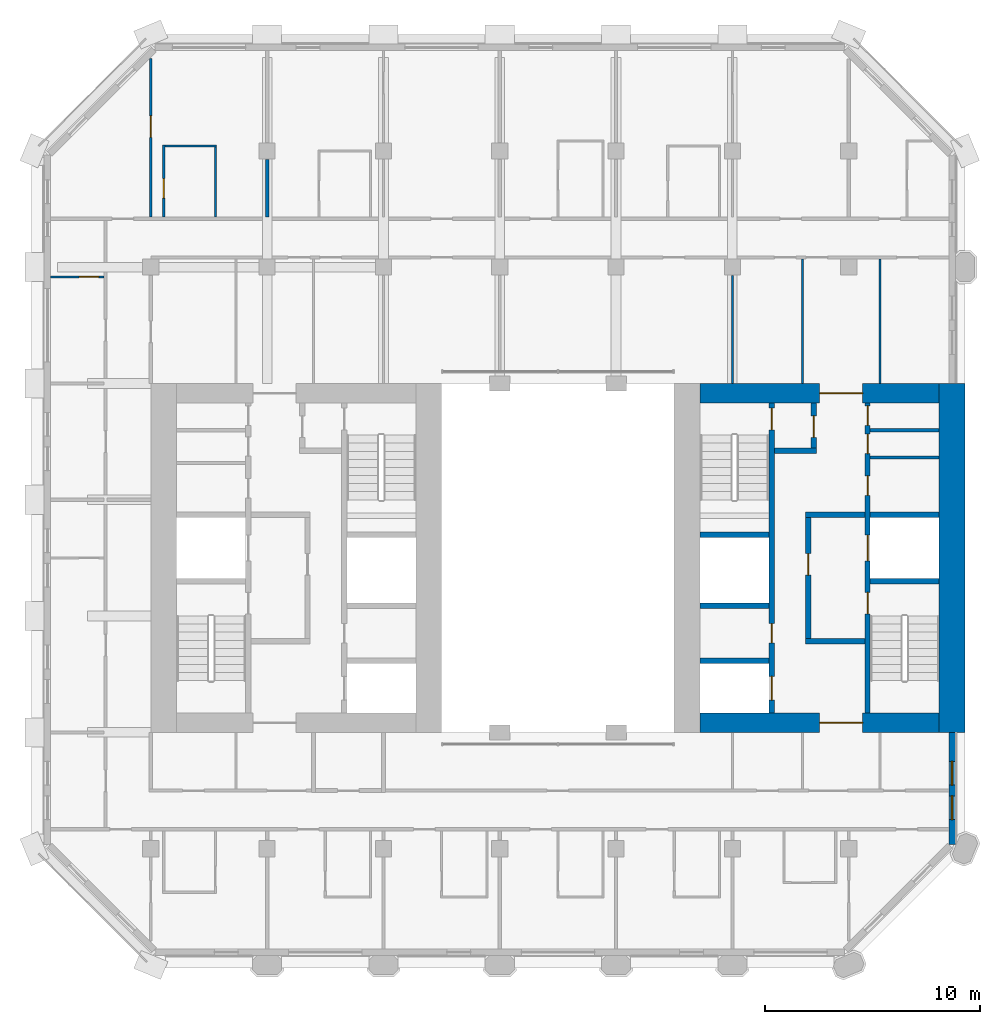
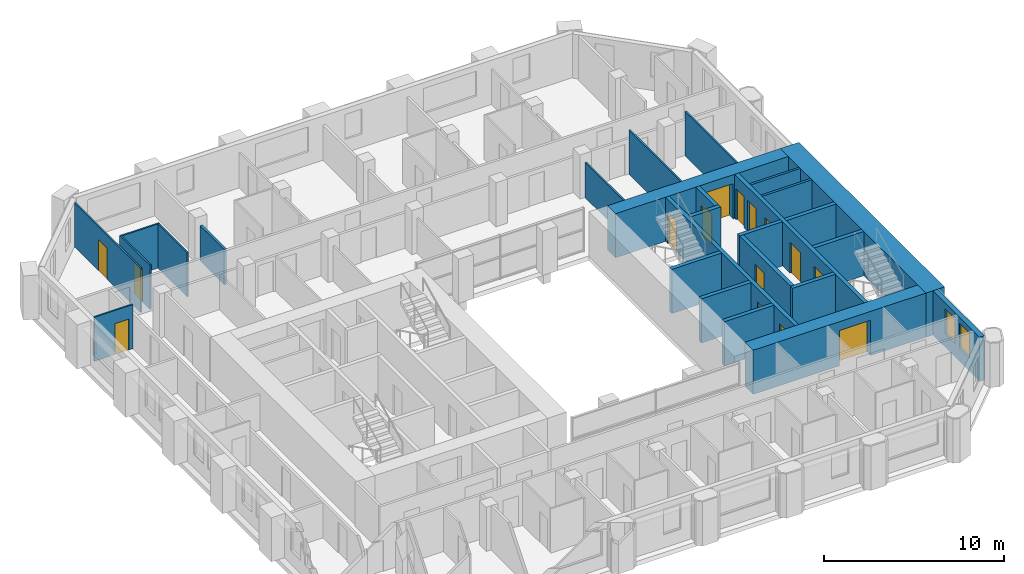
# One storey, part 9 of 13: 27 walls, 15 doors, 2 windows, 17 openings.
"""IFC4 building model written with IfcOpenShell, lengths in metres."""

from ifc_helpers import new_model, si_unit, direction, frame, frame_2d, origin, place, context, subcontext, project, spatial, rectangle, extrude, material, layer, layer_set, type_object, element, fill, save


model = new_model("IFC4")

# Units and contexts
model_context = context("Model", 3, precision=1e-05, world=origin(), true_north=direction((0.0, 1.0)))
body_context = subcontext(model_context, "Body", "Model", "MODEL_VIEW")
ifc_project = project(units=[si_unit("LENGTHUNIT", "METRE"), si_unit("AREAUNIT", "SQUARE_METRE"), si_unit("VOLUMEUNIT", "CUBIC_METRE"), si_unit("PLANEANGLEUNIT", "RADIAN"), si_unit("MASSUNIT", "GRAM", prefix="KILO")], contexts=[model_context])

# Site, building, storey
site_placement = place(None, origin())
site = spatial("IfcSite", under=ifc_project, at=site_placement, CompositionType="ELEMENT")
building_placement = place(site_placement, origin())
building = spatial("IfcBuilding", under=site, at=building_placement, Name="Tabaq Tower and Sports Hall", CompositionType="ELEMENT")
storey_placement = place(building_placement, frame((0.0, 0.0, 210.39990234375)))
storey = spatial("IfcBuildingStorey", under=building, at=storey_placement, Name="L52", CompositionType="ELEMENT", Elevation=210.39990234375)

# Walls
ifc_material_1 = material(Name="Blockwork", Category="masonry")
ifc_layer_1 = layer(ifc_material_1, 0.14990234375)
ifc_layer_set_1 = layer_set([ifc_layer_1], Name="Core room partition 150 Blockwork")
wall_type_1 = type_object("IfcWallType", Name="Core room partition 150 Blockwork", PredefinedType="PARTITIONING", material=ifc_layer_set_1)
for number, where, z_axis, x_axis, name in (
    (1, (38.800048828125, 28.962890625, 0.0), (0.0, 0.0, 1.0), (1.0, 0.0, 0.0), "Core room partition E L52"),
    (2, (38.800048828125, 30.23193359375, 0.0), (0.0, 0.0, 1.0), (1.0, 0.0, 0.0), "Core room partition E L52"),
):
    element("IfcWall", number, at=place(storey_placement, frame(where, z_axis=z_axis, x_axis=x_axis)), inside=storey, type_object=wall_type_1, Name=name, PredefinedType="PARTITIONING", context=body_context, shape_type="SweptSolid", body=[
        extrude(rectangle(XDim=3.199951171875, YDim=0.14990234375, at=frame_2d((1.60009765625, 0.0))), origin(), (0.0, 0.0, 1.0), 3.0),
    ])
ifc_material_2 = material(Name="Concrete C50/60", Category="concrete")
ifc_layer_2 = layer(ifc_material_2, 1.199951171875)
ifc_layer_set_2 = layer_set([ifc_layer_2], Name="Core wall 1200 Concrete C50/60")
wall_type_2 = type_object("IfcWallType", Name="Core wall 1200 Concrete C50/60", PredefinedType="SOLIDWALL", material=ifc_layer_set_2)
wall_1_placement = place(storey_placement, frame((42.60009765625, 32.39990234375, 0.0), z_axis=(0.0, 0.0, 1.0), x_axis=(0.0, -1.0, 0.0)))
element("IfcWall", 3, at=wall_1_placement, inside=storey, type_object=wall_type_2, Name="Core wall E L52", PredefinedType="SOLIDWALL", context=body_context, shape_type="SweptSolid", body=[
    extrude(rectangle(XDim=16.199951171875, YDim=1.199951171875, at=frame_2d((8.10009765625, 0.0))), origin(), (0.0, 0.0, 1.0), 3.0),
])

# Wall, opening, door
ifc_material_3 = material(Name="Concrete C50/60", Category="concrete")
ifc_layer_3 = layer(ifc_material_3, 0.89990234375)
ifc_layer_set_3 = layer_set([ifc_layer_3], Name="Core wall 900 Concrete C50/60")
wall_type_3 = type_object("IfcWallType", Name="Core wall 900 Concrete C50/60", PredefinedType="SOLIDWALL", material=ifc_layer_set_3)
wall_2_placement = place(storey_placement, frame((42.0, 16.64990234375, 0.0), z_axis=(0.0, 0.0, 1.0), x_axis=(-1.0, 0.0, 0.0)))
wall_2 = element("IfcWall", 4, at=wall_2_placement, inside=storey, type_object=wall_type_3, Name="Core wall E L52", PredefinedType="SOLIDWALL", context=body_context, shape_type="SweptSolid", body=[
    extrude(rectangle(XDim=11.10009765625, YDim=0.89990234375, at=frame_2d((5.550048828125, 0.0))), origin(), (0.0, 0.0, 1.0), 3.0),
])
opening_1_placement = place(wall_2_placement, frame((3.550048828125, 0.0, 0.0)))
opening_1 = element("IfcOpeningElement", 5, at=opening_1_placement, cuts=wall_2, Name="Opening PD-EL52-01", PredefinedType="OPENING", context=body_context, shape_type="SweptSolid", body=[
    extrude(rectangle(XDim=2.0, YDim=2.39990234375, at=frame_2d((1.0, 1.199951171875))), frame((0.0, 0.449951171875, 0.0), z_axis=(0.0, -1.0, 0.0), x_axis=(1.0, 0.0, 0.0)), (0.0, 0.0, 1.0), 0.89990234375),
])
ifc_material_4 = material(Name="Steel fire door", Category="steel")
door_type_1 = type_object("IfcDoorType", Name="Core entrance door 2000", OperationType="DOUBLE_DOOR_SINGLE_SWING", PredefinedType="DOOR", material=ifc_material_4)
door_1_placement = place(opening_1_placement, origin())
door_1 = element("IfcDoor", 6, at=door_1_placement, inside=storey, type_object=door_type_1, Name="Core entrance south E L52", OperationType="DOUBLE_DOOR_SINGLE_SWING", OverallHeight=2.39990234375, OverallWidth=2.0, PredefinedType="DOOR", context=body_context, shape_type="SweptSolid", body=[
    extrude(rectangle(XDim=2.0, YDim=2.39990234375, at=frame_2d((1.0, 1.199951171875))), frame((0.0, 0.02490234375, 0.0), z_axis=(0.0, -1.0, 0.0), x_axis=(1.0, 0.0, 0.0)), (0.0, 0.0, 1.0), 0.050048828125),
])
fill(opening_1, door_1)

wall_3_placement = place(storey_placement, frame((30.89990234375, 31.949951171875, 0.0), z_axis=(0.0, 0.0, 1.0), x_axis=(1.0, 0.0, 0.0)))
wall_3 = element("IfcWall", 7, at=wall_3_placement, inside=storey, type_object=wall_type_3, Name="Core wall E L52", PredefinedType="SOLIDWALL", context=body_context, shape_type="SweptSolid", body=[
    extrude(rectangle(XDim=11.10009765625, YDim=0.89990234375, at=frame_2d((5.550048828125, 0.0))), origin(), (0.0, 0.0, 1.0), 3.0),
])
opening_2_placement = place(wall_3_placement, frame((5.550048828125, 0.0, 0.0)))
opening_2 = element("IfcOpeningElement", 8, at=opening_2_placement, cuts=wall_3, Name="Opening PD-EL52-02", PredefinedType="OPENING", context=body_context, shape_type="SweptSolid", body=[
    extrude(rectangle(XDim=2.0, YDim=2.39990234375, at=frame_2d((1.0, 1.199951171875))), frame((0.0, 0.449951171875, 0.0), z_axis=(0.0, -1.0, 0.0), x_axis=(1.0, 0.0, 0.0)), (0.0, 0.0, 1.0), 0.89990234375),
])
door_2_placement = place(opening_2_placement, origin())
door_2 = element("IfcDoor", 9, at=door_2_placement, inside=storey, type_object=door_type_1, Name="Core entrance north E L52", OperationType="DOUBLE_DOOR_SINGLE_SWING", OverallHeight=2.39990234375, OverallWidth=2.0, PredefinedType="DOOR", context=body_context, shape_type="SweptSolid", body=[
    extrude(rectangle(XDim=2.0, YDim=2.39990234375, at=frame_2d((1.0, 1.199951171875))), frame((0.0, 0.02490234375, 0.0), z_axis=(0.0, -1.0, 0.0), x_axis=(1.0, 0.0, 0.0)), (0.0, 0.0, 1.0), 0.050048828125),
])
fill(opening_2, door_2)

ifc_material_5 = material(Name="Gypsum board on steel studs", Category="steel")
ifc_layer_4 = layer(ifc_material_5, 0.10009765625)
ifc_layer_set_4 = layer_set([ifc_layer_4], Name="Partition 100 Gypsum board")
wall_type_4 = type_object("IfcWallType", Name="Partition 100 Gypsum board", PredefinedType="PARTITIONING", material=ifc_layer_set_4)
wall_4_placement = place(storey_placement, frame((3.22509765625, 37.35009765625, 0.0), z_axis=(0.0, 0.0, 1.0), x_axis=(-1.0, 0.0, 0.0)))
wall_4 = element("IfcWall", 10, at=wall_4_placement, inside=storey, type_object=wall_type_4, Name="Partition wall L52", PredefinedType="PARTITIONING", context=body_context, shape_type="SweptSolid", body=[
    extrude(rectangle(XDim=2.47412109375, YDim=0.10009765625, at=frame_2d((1.237060546875, 0.0))), origin(), (0.0, 0.0, 1.0), 3.0),
])
opening_3_placement = place(wall_4_placement, frame((0.25, 0.0, 0.0)))
opening_3 = element("IfcOpeningElement", 11, at=opening_3_placement, cuts=wall_4, Name="Opening L52-001", PredefinedType="OPENING", context=body_context, shape_type="SweptSolid", body=[
    extrude(rectangle(XDim=0.89990234375, YDim=2.10009765625, at=frame_2d((0.449951171875, 1.050048828125))), frame((0.0, 0.050048828125, 0.0), z_axis=(0.0, -1.0, 0.0), x_axis=(1.0, 0.0, 0.0)), (0.0, 0.0, 1.0), 0.10009765625),
])
ifc_material_6 = material(Name="Timber leaf in steel frame", Category="steel")
door_type_2 = type_object("IfcDoorType", Name="Internal door 900 left hand", OperationType="SINGLE_SWING_LEFT", PredefinedType="DOOR", material=ifc_material_6)
door_3_placement = place(opening_3_placement, origin())
door_3 = element("IfcDoor", 12, at=door_3_placement, inside=storey, type_object=door_type_2, Name="Internal door L52-001", OperationType="SINGLE_SWING_LEFT", OverallHeight=2.10009765625, OverallWidth=0.89990234375, PredefinedType="DOOR", context=body_context, shape_type="SweptSolid", body=[
    extrude(rectangle(XDim=0.89990234375, YDim=2.10009765625, at=frame_2d((0.449951171875, 1.050048828125))), frame((0.0, 0.02490234375, 0.0), z_axis=(0.0, -1.0, 0.0), x_axis=(1.0, 0.0, 0.0)), (0.0, 0.0, 1.0), 0.050048828125),
])
fill(opening_3, door_3)

wall_5_placement = place(storey_placement, frame((5.39990234375, 47.48779296875, 0.0), z_axis=(0.0, 0.0, 1.0), x_axis=(0.0, -1.0, 0.0)))
wall_5 = element("IfcWall", 13, at=wall_5_placement, inside=storey, type_object=wall_type_4, Name="Partition wall L52", PredefinedType="PARTITIONING", context=body_context, shape_type="SweptSolid", body=[
    extrude(rectangle(XDim=7.36279296875, YDim=0.10009765625, at=frame_2d((3.681396484375, 0.0))), origin(), (0.0, 0.0, 1.0), 3.0),
])
opening_4_placement = place(wall_5_placement, frame((2.662841796875, 0.0, 0.0)))
opening_4 = element("IfcOpeningElement", 14, at=opening_4_placement, cuts=wall_5, Name="Opening L52-034", PredefinedType="OPENING", context=body_context, shape_type="SweptSolid", body=[
    extrude(rectangle(XDim=1.0, YDim=2.10009765625, at=frame_2d((0.5, 1.050048828125))), frame((0.0, 0.050048828125, 0.0), z_axis=(0.0, -1.0, 0.0), x_axis=(1.0, 0.0, 0.0)), (0.0, 0.0, 1.0), 0.10009765625),
])
ifc_material_7 = material(Name="Timber leaf in steel frame", Category="steel")
door_type_3 = type_object("IfcDoorType", Name="Internal door 1000 left hand", OperationType="SINGLE_SWING_LEFT", PredefinedType="DOOR", material=ifc_material_7)
door_4_placement = place(opening_4_placement, origin())
door_4 = element("IfcDoor", 15, at=door_4_placement, inside=storey, type_object=door_type_3, Name="Internal door L52-034", OperationType="SINGLE_SWING_LEFT", OverallHeight=2.10009765625, OverallWidth=1.0, PredefinedType="DOOR", context=body_context, shape_type="SweptSolid", body=[
    extrude(rectangle(XDim=1.0, YDim=2.10009765625, at=frame_2d((0.5, 1.050048828125))), frame((0.0, 0.02490234375, 0.0), z_axis=(0.0, -1.0, 0.0), x_axis=(1.0, 0.0, 0.0)), (0.0, 0.0, 1.0), 0.050048828125),
])
fill(opening_4, door_4)

wall_6_placement = place(storey_placement, frame((6.0, 40.125, 0.0), z_axis=(0.0, 0.0, 1.0), x_axis=(0.0, 1.0, 0.0)))
wall_6 = element("IfcWall", 16, at=wall_6_placement, inside=storey, type_object=wall_type_4, Name="Partition wall L52", PredefinedType="PARTITIONING", context=body_context, shape_type="SweptSolid", body=[
    extrude(rectangle(XDim=3.35009765625, YDim=0.10009765625, at=frame_2d((1.675048828125, 0.0))), origin(), (0.0, 0.0, 1.0), 3.0),
])
opening_5_placement = place(wall_6_placement, frame((0.881103515625, 0.0, 0.0)))
opening_5 = element("IfcOpeningElement", 17, at=opening_5_placement, cuts=wall_6, Name="Opening L52-006", PredefinedType="OPENING", context=body_context, shape_type="SweptSolid", body=[
    extrude(rectangle(XDim=0.89990234375, YDim=2.10009765625, at=frame_2d((0.449951171875, 1.050048828125))), frame((0.0, 0.050048828125, 0.0), z_axis=(0.0, -1.0, 0.0), x_axis=(1.0, 0.0, 0.0)), (0.0, 0.0, 1.0), 0.10009765625),
])
door_5_placement = place(opening_5_placement, origin())
door_5 = element("IfcDoor", 18, at=door_5_placement, inside=storey, type_object=door_type_2, Name="Internal door L52-006", OperationType="SINGLE_SWING_LEFT", OverallHeight=2.10009765625, OverallWidth=0.89990234375, PredefinedType="DOOR", context=body_context, shape_type="SweptSolid", body=[
    extrude(rectangle(XDim=0.89990234375, YDim=2.10009765625, at=frame_2d((0.449951171875, 1.050048828125))), frame((0.0, 0.02490234375, 0.0), z_axis=(0.0, -1.0, 0.0), x_axis=(1.0, 0.0, 0.0)), (0.0, 0.0, 1.0), 0.050048828125),
])
fill(opening_5, door_5)

# Walls
wall_7_placement = place(storey_placement, frame((6.050048828125, 43.425048828125, 0.0), z_axis=(0.0, 0.0, 1.0), x_axis=(1.0, 0.0, 0.0)))
element("IfcWall", 19, at=wall_7_placement, inside=storey, type_object=wall_type_4, Name="Partition wall L52", PredefinedType="PARTITIONING", context=body_context, shape_type="SweptSolid", body=[
    extrude(rectangle(XDim=2.39990234375, YDim=0.10009765625, at=frame_2d((1.199951171875, 0.0))), origin(), (0.0, 0.0, 1.0), 3.0),
])
wall_8_placement = place(storey_placement, frame((8.39990234375, 43.375, 0.0), z_axis=(0.0, 0.0, 1.0), x_axis=(0.0, -1.0, 0.0)))
element("IfcWall", 20, at=wall_8_placement, inside=storey, type_object=wall_type_4, Name="Partition wall L52", PredefinedType="PARTITIONING", context=body_context, shape_type="SweptSolid", body=[
    extrude(rectangle(XDim=3.25, YDim=0.10009765625, at=frame_2d((1.625, 0.0))), origin(), (0.0, 0.0, 1.0), 3.0),
])
wall_9_placement = place(storey_placement, frame((32.39990234375, 32.39990234375, 0.0), z_axis=(0.0, 0.0, 1.0), x_axis=(0.0, 1.0, 0.0)))
element("IfcWall", 21, at=wall_9_placement, inside=storey, type_object=wall_type_4, Name="Partition wall L52", PredefinedType="PARTITIONING", context=body_context, shape_type="SweptSolid", body=[
    extrude(rectangle(XDim=5.005126953125, YDim=0.10009765625, at=frame_2d((2.50244140625, 0.0))), origin(), (0.0, 0.0, 1.0), 2.400146484375),
])
for number, where, z_axis, x_axis, name in (
    (22, (39.25, 32.39990234375, 0.0), (0.0, 0.0, 1.0), (0.0, 1.0, 0.0), "Partition wall L52"),
    (23, (35.64990234375, 38.175048828125, 0.0), (0.0, 0.0, 1.0), (0.0, -1.0, 0.0), "Partition wall L52"),
):
    element("IfcWall", number, at=place(storey_placement, frame(where, z_axis=z_axis, x_axis=x_axis)), inside=storey, type_object=wall_type_4, Name=name, PredefinedType="PARTITIONING", context=body_context, shape_type="SweptSolid", body=[
        extrude(rectangle(XDim=5.775146484375, YDim=0.10009765625, at=frame_2d((2.8876953125, 0.0))), origin(), (0.0, 0.0, 1.0), 3.0),
    ])
ifc_material_8 = material(Name="Blockwork", Category="masonry")
ifc_layer_5 = layer(ifc_material_8, 0.14990234375)
ifc_layer_set_5 = layer_set([ifc_layer_5], Name="Separating wall 150 Blockwork")
wall_type_5 = type_object("IfcWallType", Name="Separating wall 150 Blockwork", PredefinedType="PARTITIONING", material=ifc_layer_set_5)
wall_10_placement = place(storey_placement, frame((10.800048828125, 42.804931640625, 0.0), z_axis=(0.0, 0.0, 1.0), x_axis=(0.0, -1.0, 0.0)))
element("IfcWall", 24, at=wall_10_placement, inside=storey, type_object=wall_type_5, Name="Separating wall L52", PredefinedType="PARTITIONING", context=body_context, shape_type="SweptSolid", body=[
    extrude(rectangle(XDim=2.679931640625, YDim=0.14990234375, at=frame_2d((1.33984375, 0.0))), origin(), (0.0, 0.0, 1.0), 2.400146484375),
])

# Wall, openings, doors
ifc_material_9 = material(Name="Concrete C40/50", Category="concrete")
ifc_layer_6 = layer(ifc_material_9, 0.25)
ifc_layer_set_6 = layer_set([ifc_layer_6], Name="Shaft and stair wall 250 Concrete C40/50")
wall_type_6 = type_object("IfcWallType", Name="Shaft and stair wall 250 Concrete C40/50", PredefinedType="SOLIDWALL", material=ifc_layer_set_6)
wall_11_placement = place(storey_placement, frame((38.675048828125, 17.10009765625, 0.0), z_axis=(0.0, 0.0, 1.0), x_axis=(0.0, 1.0, 0.0)))
wall_11 = element("IfcWall", 25, at=wall_11_placement, inside=storey, type_object=wall_type_6, Name="Shaft wall E L52", PredefinedType="SOLIDWALL", context=body_context, shape_type="SweptSolid", body=[
    extrude(rectangle(XDim=14.39990234375, YDim=0.25, at=frame_2d((7.199951171875, 0.0))), origin(), (0.0, 0.0, 1.0), 3.0),
])
opening_6_placement = place(wall_11_placement, frame((4.60009765625, 0.0, 0.0)))
opening_6 = element("IfcOpeningElement", 26, at=opening_6_placement, cuts=wall_11, Name="Opening SD-EL52-03", PredefinedType="OPENING", context=body_context, shape_type="SweptSolid", body=[
    extrude(rectangle(XDim=1.0, YDim=2.10009765625, at=frame_2d((0.5, 1.050048828125))), frame((0.0, 0.125, 0.0), z_axis=(0.0, -1.0, 0.0), x_axis=(1.0, 0.0, 0.0)), (0.0, 0.0, 1.0), 0.25),
])
opening_7_placement = place(wall_11_placement, frame((7.0625, 0.0, 0.0)))
opening_7 = element("IfcOpeningElement", 27, at=opening_7_placement, cuts=wall_11, Name="Opening LD-FF2-L52", PredefinedType="OPENING", context=body_context, shape_type="SweptSolid", body=[
    extrude(rectangle(XDim=1.199951171875, YDim=2.10009765625, at=frame_2d((0.60009765625, 1.050048828125))), frame((0.0, 0.125, 0.0), z_axis=(0.0, -1.0, 0.0), x_axis=(1.0, 0.0, 0.0)), (0.0, 0.0, 1.0), 0.25),
])
opening_8_placement = place(wall_11_placement, frame((10.1064453125, 0.0, 0.0)))
opening_8 = element("IfcOpeningElement", 28, at=opening_8_placement, cuts=wall_11, Name="Opening RD-EL52-09", PredefinedType="OPENING", context=body_context, shape_type="SweptSolid", body=[
    extrude(rectangle(XDim=0.89990234375, YDim=2.10009765625, at=frame_2d((0.449951171875, 1.050048828125))), frame((0.0, 0.125, 0.0), z_axis=(0.0, -1.0, 0.0), x_axis=(1.0, 0.0, 0.0)), (0.0, 0.0, 1.0), 0.25),
])
opening_9_placement = place(wall_11_placement, frame((12.047607421875, 0.0, 0.0)))
opening_9 = element("IfcOpeningElement", 29, at=opening_9_placement, cuts=wall_11, Name="Opening RD-EL52-10", PredefinedType="OPENING", context=body_context, shape_type="SweptSolid", body=[
    extrude(rectangle(XDim=0.89990234375, YDim=2.10009765625, at=frame_2d((0.449951171875, 1.050048828125))), frame((0.0, 0.125, 0.0), z_axis=(0.0, -1.0, 0.0), x_axis=(1.0, 0.0, 0.0)), (0.0, 0.0, 1.0), 0.25),
])
opening_10_placement = place(wall_11_placement, frame((13.353515625, 0.0, 0.0)))
opening_10 = element("IfcOpeningElement", 30, at=opening_10_placement, cuts=wall_11, Name="Opening RD-EL52-11", PredefinedType="OPENING", context=body_context, shape_type="SweptSolid", body=[
    extrude(rectangle(XDim=0.89990234375, YDim=2.10009765625, at=frame_2d((0.449951171875, 1.050048828125))), frame((0.0, 0.125, 0.0), z_axis=(0.0, -1.0, 0.0), x_axis=(1.0, 0.0, 0.0)), (0.0, 0.0, 1.0), 0.25),
])
ifc_material_10 = material(Name="Steel fire door", Category="steel")
door_type_4 = type_object("IfcDoorType", Name="Core room door 900", OperationType="SINGLE_SWING_LEFT", PredefinedType="DOOR", material=ifc_material_10)
door_6_placement = place(opening_8_placement, origin())
door_6 = element("IfcDoor", 31, at=door_6_placement, inside=storey, type_object=door_type_4, Name="Door Unisex WC E L52", OperationType="SINGLE_SWING_LEFT", OverallHeight=2.10009765625, OverallWidth=0.89990234375, PredefinedType="DOOR", context=body_context, shape_type="SweptSolid", body=[
    extrude(rectangle(XDim=0.89990234375, YDim=2.10009765625, at=frame_2d((0.449951171875, 1.050048828125))), frame((0.0, 0.02490234375, 0.0), z_axis=(0.0, -1.0, 0.0), x_axis=(1.0, 0.0, 0.0)), (0.0, 0.0, 1.0), 0.050048828125),
])
fill(opening_8, door_6)
door_7_placement = place(opening_9_placement, origin())
door_7 = element("IfcDoor", 32, at=door_7_placement, inside=storey, type_object=door_type_4, Name="Door Cleaner's Store E L52", OperationType="SINGLE_SWING_LEFT", OverallHeight=2.10009765625, OverallWidth=0.89990234375, PredefinedType="DOOR", context=body_context, shape_type="SweptSolid", body=[
    extrude(rectangle(XDim=0.89990234375, YDim=2.10009765625, at=frame_2d((0.449951171875, 1.050048828125))), frame((0.0, 0.02490234375, 0.0), z_axis=(0.0, -1.0, 0.0), x_axis=(1.0, 0.0, 0.0)), (0.0, 0.0, 1.0), 0.050048828125),
])
fill(opening_9, door_7)
door_8_placement = place(opening_10_placement, origin())
door_8 = element("IfcDoor", 33, at=door_8_placement, inside=storey, type_object=door_type_4, Name="Door Accessible WC E L52", OperationType="SINGLE_SWING_LEFT", OverallHeight=2.10009765625, OverallWidth=0.89990234375, PredefinedType="DOOR", context=body_context, shape_type="SweptSolid", body=[
    extrude(rectangle(XDim=0.89990234375, YDim=2.10009765625, at=frame_2d((0.449951171875, 1.050048828125))), frame((0.0, 0.02490234375, 0.0), z_axis=(0.0, -1.0, 0.0), x_axis=(1.0, 0.0, 0.0)), (0.0, 0.0, 1.0), 0.050048828125),
])
fill(opening_10, door_8)
ifc_material_11 = material(Name="Stainless steel", Category="steel")
door_type_5 = type_object("IfcDoorType", Name="Lift landing door 1200", OperationType="DOUBLE_DOOR_SLIDING", PredefinedType="DOOR", material=ifc_material_11)
door_9_placement = place(opening_7_placement, origin())
door_9 = element("IfcDoor", 34, at=door_9_placement, inside=storey, type_object=door_type_5, Name="Lift landing door FF2 E L52", OperationType="DOUBLE_DOOR_SLIDING", OverallHeight=2.10009765625, OverallWidth=1.199951171875, PredefinedType="DOOR", context=body_context, shape_type="SweptSolid", body=[
    extrude(rectangle(XDim=1.199951171875, YDim=2.10009765625, at=frame_2d((0.60009765625, 1.050048828125))), frame((0.0, 0.02490234375, 0.0), z_axis=(0.0, -1.0, 0.0), x_axis=(1.0, 0.0, 0.0)), (0.0, 0.0, 1.0), 0.050048828125),
])
fill(opening_7, door_9)
ifc_material_12 = material(Name="Steel fire door", Category="steel")
door_type_6 = type_object("IfcDoorType", Name="Stair door 1000", OperationType="SINGLE_SWING_LEFT", PredefinedType="DOOR", material=ifc_material_12)
door_10_placement = place(opening_6_placement, origin())
door_10 = element("IfcDoor", 35, at=door_10_placement, inside=storey, type_object=door_type_6, Name="Stair door ST3 E L52", OperationType="SINGLE_SWING_LEFT", OverallHeight=2.10009765625, OverallWidth=1.0, PredefinedType="DOOR", context=body_context, shape_type="SweptSolid", body=[
    extrude(rectangle(XDim=1.0, YDim=2.10009765625, at=frame_2d((0.5, 1.050048828125))), frame((0.0, 0.02490234375, 0.0), z_axis=(0.0, -1.0, 0.0), x_axis=(1.0, 0.0, 0.0)), (0.0, 0.0, 1.0), 0.050048828125),
])
fill(opening_6, door_10)

wall_12_placement = place(storey_placement, frame((34.22509765625, 17.10009765625, 0.0), z_axis=(0.0, 0.0, 1.0), x_axis=(0.0, 1.0, 0.0)))
wall_12 = element("IfcWall", 36, at=wall_12_placement, inside=storey, type_object=wall_type_6, Name="Shaft wall E L52", PredefinedType="SOLIDWALL", context=body_context, shape_type="SweptSolid", body=[
    extrude(rectangle(XDim=14.39990234375, YDim=0.25, at=frame_2d((7.199951171875, 0.0))), origin(), (0.0, 0.0, 1.0), 3.0),
])
opening_11_placement = place(wall_12_placement, frame((13.14990234375, 0.0, 0.0)))
opening_11 = element("IfcOpeningElement", 37, at=opening_11_placement, cuts=wall_12, Name="Opening SD-EL52-05", PredefinedType="OPENING", context=body_context, shape_type="SweptSolid", body=[
    extrude(rectangle(XDim=1.0, YDim=2.10009765625, at=frame_2d((0.5, 1.050048828125))), frame((0.0, 0.125, 0.0), z_axis=(0.0, -1.0, 0.0), x_axis=(1.0, 0.0, 0.0)), (0.0, 0.0, 1.0), 0.25),
])
opening_12_placement = place(wall_12_placement, frame((0.60009765625, 0.0, 0.0)))
opening_12 = element("IfcOpeningElement", 38, at=opening_12_placement, cuts=wall_12, Name="Opening LD-MR2-L52", PredefinedType="OPENING", context=body_context, shape_type="SweptSolid", body=[
    extrude(rectangle(XDim=1.10009765625, YDim=2.10009765625, at=frame_2d((0.550048828125, 1.050048828125))), frame((0.0, 0.125, 0.0), z_axis=(0.0, -1.0, 0.0), x_axis=(1.0, 0.0, 0.0)), (0.0, 0.0, 1.0), 0.25),
])
opening_13_placement = place(wall_12_placement, frame((3.25, 0.0, 0.0)))
opening_13 = element("IfcOpeningElement", 39, at=opening_13_placement, cuts=wall_12, Name="Opening RD-EL52-12", PredefinedType="OPENING", context=body_context, shape_type="SweptSolid", body=[
    extrude(rectangle(XDim=0.89990234375, YDim=2.10009765625, at=frame_2d((0.449951171875, 1.050048828125))), frame((0.0, 0.125, 0.0), z_axis=(0.0, -1.0, 0.0), x_axis=(1.0, 0.0, 0.0)), (0.0, 0.0, 1.0), 0.25),
])
door_11_placement = place(opening_13_placement, origin())
door_11 = element("IfcDoor", 40, at=door_11_placement, inside=storey, type_object=door_type_4, Name="Door Cleaner's Store E L52", OperationType="SINGLE_SWING_LEFT", OverallHeight=2.10009765625, OverallWidth=0.89990234375, PredefinedType="DOOR", context=body_context, shape_type="SweptSolid", body=[
    extrude(rectangle(XDim=0.89990234375, YDim=2.10009765625, at=frame_2d((0.449951171875, 1.050048828125))), frame((0.0, 0.02490234375, 0.0), z_axis=(0.0, -1.0, 0.0), x_axis=(1.0, 0.0, 0.0)), (0.0, 0.0, 1.0), 0.050048828125),
])
fill(opening_13, door_11)
ifc_material_13 = material(Name="Stainless steel", Category="steel")
door_type_7 = type_object("IfcDoorType", Name="Lift landing door 1100", OperationType="DOUBLE_DOOR_SLIDING", PredefinedType="DOOR", material=ifc_material_13)
door_12_placement = place(opening_12_placement, origin())
door_12 = element("IfcDoor", 41, at=door_12_placement, inside=storey, type_object=door_type_7, Name="Lift landing door MR2 E L52", OperationType="DOUBLE_DOOR_SLIDING", OverallHeight=2.10009765625, OverallWidth=1.10009765625, PredefinedType="DOOR", context=body_context, shape_type="SweptSolid", body=[
    extrude(rectangle(XDim=1.10009765625, YDim=2.10009765625, at=frame_2d((0.550048828125, 1.050048828125))), frame((0.0, 0.02490234375, 0.0), z_axis=(0.0, -1.0, 0.0), x_axis=(1.0, 0.0, 0.0)), (0.0, 0.0, 1.0), 0.050048828125),
])
fill(opening_12, door_12)
door_13_placement = place(opening_11_placement, origin())
door_13 = element("IfcDoor", 42, at=door_13_placement, inside=storey, type_object=door_type_6, Name="Stair door ST4 E L52", OperationType="SINGLE_SWING_LEFT", OverallHeight=2.10009765625, OverallWidth=1.0, PredefinedType="DOOR", context=body_context, shape_type="SweptSolid", body=[
    extrude(rectangle(XDim=1.0, YDim=2.10009765625, at=frame_2d((0.5, 1.050048828125))), frame((0.0, 0.02490234375, 0.0), z_axis=(0.0, -1.0, 0.0), x_axis=(1.0, 0.0, 0.0)), (0.0, 0.0, 1.0), 0.050048828125),
])
fill(opening_11, door_13)

# Walls
wall_13_placement = place(storey_placement, frame((38.800048828125, 23.22509765625, 0.0), z_axis=(0.0, 0.0, 1.0), x_axis=(1.0, 0.0, 0.0)))
element("IfcWall", 43, at=wall_13_placement, inside=storey, type_object=wall_type_6, Name="Stair enclosure wall E L52", PredefinedType="SOLIDWALL", context=body_context, shape_type="SweptSolid", body=[
    extrude(rectangle(XDim=3.199951171875, YDim=0.25, at=frame_2d((1.60009765625, 0.0))), origin(), (0.0, 0.0, 1.0), 3.0),
])
for number, where, z_axis, x_axis, name in (
    (44, (30.89990234375, 25.375, 0.0), (0.0, 0.0, 1.0), (1.0, 0.0, 0.0), "Stair enclosure wall E L52"),
    (45, (30.89990234375, 22.074951171875, 0.0), (0.0, 0.0, 1.0), (1.0, 0.0, 0.0), "Shaft wall E L52"),
):
    element("IfcWall", number, at=place(storey_placement, frame(where, z_axis=z_axis, x_axis=x_axis)), inside=storey, type_object=wall_type_6, Name=name, PredefinedType="SOLIDWALL", context=body_context, shape_type="SweptSolid", body=[
        extrude(rectangle(XDim=3.2001953125, YDim=0.25, at=frame_2d((1.60009765625, 0.0))), origin(), (0.0, 0.0, 1.0), 3.0),
    ])
wall_14_placement = place(storey_placement, frame((38.800048828125, 26.300048828125, 0.0), z_axis=(0.0, 0.0, 1.0), x_axis=(1.0, 0.0, 0.0)))
element("IfcWall", 46, at=wall_14_placement, inside=storey, type_object=wall_type_6, Name="Shaft wall E L52", PredefinedType="SOLIDWALL", context=body_context, shape_type="SweptSolid", body=[
    extrude(rectangle(XDim=3.199951171875, YDim=0.25, at=frame_2d((1.60009765625, 0.0))), origin(), (0.0, 0.0, 1.0), 3.0),
])
for number, where, z_axis, x_axis, name in (
    (47, (35.800048828125, 26.300048828125, 0.0), (0.0, 0.0, 1.0), (1.0, 0.0, 0.0), "Fire-fighting lobby wall E L52"),
    (48, (35.800048828125, 20.425048828125, 0.0), (0.0, 0.0, 1.0), (1.0, 0.0, 0.0), "Fire-fighting lobby wall E L52"),
):
    element("IfcWall", number, at=place(storey_placement, frame(where, z_axis=z_axis, x_axis=x_axis)), inside=storey, type_object=wall_type_6, Name=name, PredefinedType="SOLIDWALL", context=body_context, shape_type="SweptSolid", body=[
        extrude(rectangle(XDim=2.75, YDim=0.25, at=frame_2d((1.375, 0.0))), origin(), (0.0, 0.0, 1.0), 3.0),
    ])

# Wall, opening, door
wall_15_placement = place(storey_placement, frame((36.175048828125, 29.39990234375, 0.0), z_axis=(0.0, 0.0, 1.0), x_axis=(0.0, 1.0, 0.0)))
wall_15 = element("IfcWall", 49, at=wall_15_placement, inside=storey, type_object=wall_type_6, Name="Fire-fighting lobby wall E L52", PredefinedType="SOLIDWALL", context=body_context, shape_type="SweptSolid", body=[
    extrude(rectangle(XDim=2.10009765625, YDim=0.25, at=frame_2d((1.050048828125, 0.0))), origin(), (0.0, 0.0, 1.0), 3.0),
])
opening_14_placement = place(wall_15_placement, frame((0.5, 0.0, 0.0)))
opening_14 = element("IfcOpeningElement", 50, at=opening_14_placement, cuts=wall_15, Name="Opening FD-EL52-06", PredefinedType="OPENING", context=body_context, shape_type="SweptSolid", body=[
    extrude(rectangle(XDim=1.0, YDim=2.10009765625, at=frame_2d((0.5, 1.050048828125))), frame((0.0, 0.125, 0.0), z_axis=(0.0, -1.0, 0.0), x_axis=(1.0, 0.0, 0.0)), (0.0, 0.0, 1.0), 0.25),
])
ifc_material_14 = material(Name="Steel fire door", Category="steel")
door_type_8 = type_object("IfcDoorType", Name="Fire-fighting lobby door 1000", OperationType="SINGLE_SWING_LEFT", PredefinedType="DOOR", material=ifc_material_14)
door_14_placement = place(opening_14_placement, origin())
door_14 = element("IfcDoor", 51, at=door_14_placement, inside=storey, type_object=door_type_8, Name="Stair lobby door E L52", OperationType="SINGLE_SWING_LEFT", OverallHeight=2.10009765625, OverallWidth=1.0, PredefinedType="DOOR", context=body_context, shape_type="SweptSolid", body=[
    extrude(rectangle(XDim=1.0, YDim=2.10009765625, at=frame_2d((0.5, 1.050048828125))), frame((0.0, 0.02490234375, 0.0), z_axis=(0.0, -1.0, 0.0), x_axis=(1.0, 0.0, 0.0)), (0.0, 0.0, 1.0), 0.050048828125),
])
fill(opening_14, door_14)

# Wall
wall_16_placement = place(storey_placement, frame((34.35009765625, 29.27490234375, 0.0), z_axis=(0.0, 0.0, 1.0), x_axis=(1.0, 0.0, 0.0)))
element("IfcWall", 52, at=wall_16_placement, inside=storey, type_object=wall_type_6, Name="Fire-fighting lobby wall E L52", PredefinedType="SOLIDWALL", context=body_context, shape_type="SweptSolid", body=[
    extrude(rectangle(XDim=1.949951171875, YDim=0.25, at=frame_2d((0.97509765625, 0.0))), origin(), (0.0, 0.0, 1.0), 3.0),
])

# Wall, opening, door
wall_17_placement = place(storey_placement, frame((35.925048828125, 20.550048828125, 0.0), z_axis=(0.0, 0.0, 1.0), x_axis=(0.0, 1.0, 0.0)))
wall_17 = element("IfcWall", 53, at=wall_17_placement, inside=storey, type_object=wall_type_6, Name="Fire-fighting lobby wall E L52", PredefinedType="SOLIDWALL", context=body_context, shape_type="SweptSolid", body=[
    extrude(rectangle(XDim=5.625, YDim=0.25, at=frame_2d((2.8125, 0.0))), origin(), (0.0, 0.0, 1.0), 3.0),
])
opening_15_placement = place(wall_17_placement, frame((2.949951171875, 0.0, 0.0)))
opening_15 = element("IfcOpeningElement", 54, at=opening_15_placement, cuts=wall_17, Name="Opening FD-EL52-04", PredefinedType="OPENING", context=body_context, shape_type="SweptSolid", body=[
    extrude(rectangle(XDim=1.0, YDim=2.10009765625, at=frame_2d((0.5, 1.050048828125))), frame((0.0, 0.125, 0.0), z_axis=(0.0, -1.0, 0.0), x_axis=(1.0, 0.0, 0.0)), (0.0, 0.0, 1.0), 0.25),
])
door_15_placement = place(opening_15_placement, origin())
door_15 = element("IfcDoor", 55, at=door_15_placement, inside=storey, type_object=door_type_8, Name="Fire-fighting lobby door E L52", OperationType="SINGLE_SWING_LEFT", OverallHeight=2.10009765625, OverallWidth=1.0, PredefinedType="DOOR", context=body_context, shape_type="SweptSolid", body=[
    extrude(rectangle(XDim=1.0, YDim=2.10009765625, at=frame_2d((0.5, 1.050048828125))), frame((0.0, 0.02490234375, 0.0), z_axis=(0.0, -1.0, 0.0), x_axis=(1.0, 0.0, 0.0)), (0.0, 0.0, 1.0), 0.050048828125),
])
fill(opening_15, door_15)

# Wall
wall_18_placement = place(storey_placement, frame((30.89990234375, 19.52490234375, 0.0), z_axis=(0.0, 0.0, 1.0), x_axis=(1.0, 0.0, 0.0)))
element("IfcWall", 56, at=wall_18_placement, inside=storey, type_object=wall_type_6, Name="Shaft wall E L52", PredefinedType="SOLIDWALL", context=body_context, shape_type="SweptSolid", body=[
    extrude(rectangle(XDim=3.2001953125, YDim=0.25, at=frame_2d((1.60009765625, 0.0))), origin(), (0.0, 0.0, 1.0), 3.0),
])

# Wall, openings, windows
ifc_material_15 = material(Name="White precast concrete C60/75", Category="concrete")
ifc_layer_7 = layer(ifc_material_15, 0.300048828125)
ifc_layer_set_7 = layer_set([ifc_layer_7], Name="White precast concrete C60/75 external wall 300")
wall_type_7 = type_object("IfcWallType", Name="White precast concrete C60/75 external wall 300", PredefinedType="SOLIDWALL", material=ifc_layer_set_7)
wall_19_placement = place(storey_placement, frame((42.60009765625, 10.986328125, 0.0), z_axis=(0.0, 0.0, 1.0), x_axis=(0.0, 1.0, 0.0)))
wall_19 = element("IfcWall", 57, at=wall_19_placement, inside=storey, type_object=wall_type_7, Name="External Wall L52 E", PredefinedType="SOLIDWALL", context=body_context, shape_type="SweptSolid", body=[
    extrude(rectangle(XDim=5.213623046875, YDim=0.300048828125, at=frame_2d((2.60693359375, 0.0))), origin(), (0.0, 0.0, 1.0), 3.0),
])
opening_16_placement = place(wall_19_placement, frame((1.16357421875, 0.0, 0.89990234375)))
opening_16 = element("IfcOpeningElement", 58, at=opening_16_placement, cuts=wall_19, Name="Opening W1B", PredefinedType="OPENING", context=body_context, shape_type="SweptSolid", body=[
    extrude(rectangle(XDim=1.10009765625, YDim=1.699951171875, at=frame_2d((0.550048828125, 0.85009765625))), frame((0.0, 0.16015625, 0.0), z_axis=(0.0, -1.0, 0.0), x_axis=(1.0, 0.0, 0.0)), (0.0, 0.0, 1.0), 0.320068359375),
])
opening_17_placement = place(wall_19_placement, frame((2.763671875, 0.0, 0.89990234375)))
opening_17 = element("IfcOpeningElement", 59, at=opening_17_placement, cuts=wall_19, Name="Opening W1B", PredefinedType="OPENING", context=body_context, shape_type="SweptSolid", body=[
    extrude(rectangle(XDim=1.10009765625, YDim=1.699951171875, at=frame_2d((0.550048828125, 0.85009765625))), frame((0.0, 0.16015625, 0.0), z_axis=(0.0, -1.0, 0.0), x_axis=(1.0, 0.0, 0.0)), (0.0, 0.0, 1.0), 0.320068359375),
])
ifc_material_16 = material(Name="Aluminium framed clear glazing", Category="aluminium")
window_type = type_object("IfcWindowType", Name="Window W1B", PartitioningType="SINGLE_PANEL", PredefinedType="WINDOW", material=ifc_material_16)
window_1_placement = place(opening_16_placement, origin())
window_1 = element("IfcWindow", 60, at=window_1_placement, inside=storey, type_object=window_type, Name="Window W1B L52", OverallHeight=1.699951171875, OverallWidth=1.10009765625, PartitioningType="SINGLE_PANEL", PredefinedType="WINDOW", context=body_context, shape_type="SweptSolid", body=[
    extrude(rectangle(XDim=1.10009765625, YDim=1.699951171875, at=frame_2d((0.550048828125, 0.85009765625))), frame((0.0, 0.030029296875, 0.0), z_axis=(0.0, -1.0, 0.0), x_axis=(1.0, 0.0, 0.0)), (0.0, 0.0, 1.0), 0.06005859375),
])
fill(opening_16, window_1)
window_2_placement = place(opening_17_placement, origin())
window_2 = element("IfcWindow", 61, at=window_2_placement, inside=storey, type_object=window_type, Name="Window W1B L52", OverallHeight=1.699951171875, OverallWidth=1.10009765625, PartitioningType="SINGLE_PANEL", PredefinedType="WINDOW", context=body_context, shape_type="SweptSolid", body=[
    extrude(rectangle(XDim=1.10009765625, YDim=1.699951171875, at=frame_2d((0.550048828125, 0.85009765625))), frame((0.0, 0.030029296875, 0.0), z_axis=(0.0, -1.0, 0.0), x_axis=(1.0, 0.0, 0.0)), (0.0, 0.0, 1.0), 0.06005859375),
])
fill(opening_17, window_2)

save(model, "model.ifc")
